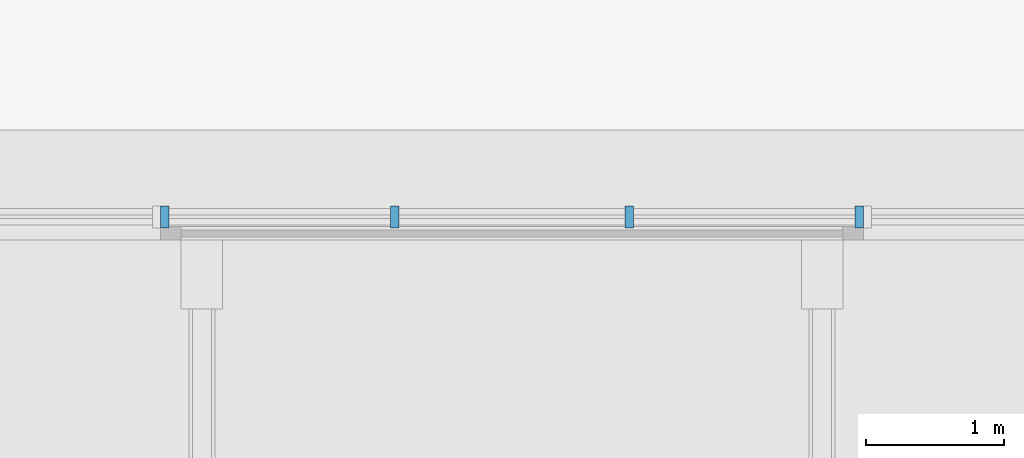
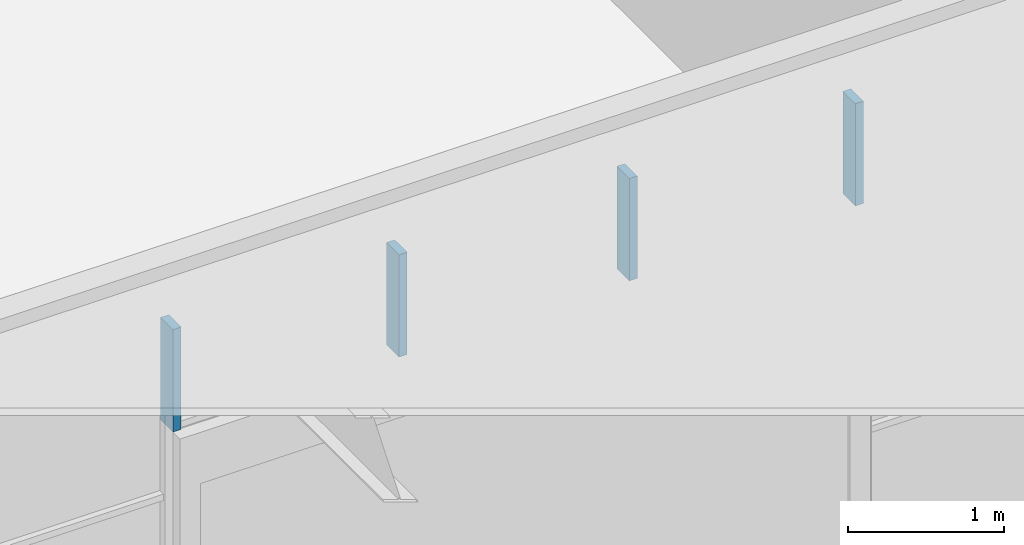
# One storey, part 68 of 168: 4 members, 1 element without a shape of its own.
"""IFC4 building model written with IfcOpenShell, lengths in metres."""

from ifc_helpers import new_model, si_unit, direction, frame, origin, origin_2d, place, context, subcontext, project, spatial, rectangle, extrude, material, material_profile, profile_set, type_object, element, aggregate, save


model = new_model("IFC4")

# Units and contexts
model_context = context("Model", 3, precision=1e-05, world=origin(), true_north=direction((0.0, 1.0)))
body_context = subcontext(model_context, "Body", "Model", "MODEL_VIEW")
ifc_project = project(units=[si_unit("LENGTHUNIT", "METRE"), si_unit("AREAUNIT", "SQUARE_METRE"), si_unit("VOLUMEUNIT", "CUBIC_METRE"), si_unit("PLANEANGLEUNIT", "RADIAN"), si_unit("MASSUNIT", "GRAM", prefix="KILO")], contexts=[model_context])

# Site, building, storey
site_placement = place(None, origin())
site = spatial("IfcSite", under=ifc_project, at=site_placement, CompositionType="ELEMENT")
building_placement = place(site_placement, origin())
building = spatial("IfcBuilding", under=site, at=building_placement, Name="Silverbay Arena", CompositionType="ELEMENT")
storey_placement = place(building_placement, frame((0.0, 0.0, 7.0)))
storey = spatial("IfcBuildingStorey", under=building, at=storey_placement, Name="L01", CompositionType="ELEMENT", Elevation=7.0)

# Curtain wall, members
ifc_material_1 = material(Name="Aluminium framed curtain wall", Category="aluminium")
curtain_wall_type = type_object("IfcCurtainWallType", Name="Curtain wall 5100 x 800", PredefinedType="NOTDEFINED", material=ifc_material_1)
curtain_wall_placement = place(storey_placement, origin())
curtain_wall = element("IfcCurtainWall", 1, at=curtain_wall_placement, inside=storey, type_object=curtain_wall_type, Name="South curtain wall L01 bay 6", PredefinedType="NOTDEFINED")
ifc_material_2 = material(Name="Aluminium", Category="aluminium")
ifc_material_profile = material_profile(ifc_material_2, rectangle(XDim=0.159912109375, YDim=0.06005859375, at=origin_2d()), Name="Mullion 60 x 160")
ifc_profile_set = profile_set([ifc_material_profile], Name="Aluminium")
member_type = type_object("IfcMemberType", Name="Mullion 60 x 160", PredefinedType="MULLION", material=ifc_profile_set)
member_1_placement = place(storey_placement, frame((73.97998046875, 17.669921875, 3.10009765625), z_axis=(0.0, 0.0, 1.0), x_axis=(0.0, 1.0, 0.0)))
member_1 = element("IfcMember", 2, at=member_1_placement, type_object=member_type, Name="CW3 mullion 1", PredefinedType="MULLION", context=body_context, shape_type="SweptSolid", body=[
    extrude(rectangle(XDim=0.159912109375, YDim=0.06005859375, at=origin_2d()), origin(), (0.0, 0.0, 1.0), 0.7998046875),
])
member_2_placement = place(storey_placement, frame((75.64990234375, 17.669921875, 3.10009765625), z_axis=(0.0, 0.0, 1.0), x_axis=(0.0, 1.0, 0.0)))
member_2 = element("IfcMember", 3, at=member_2_placement, type_object=member_type, Name="CW3 mullion 2", PredefinedType="MULLION", context=body_context, shape_type="SweptSolid", body=[
    extrude(rectangle(XDim=0.159912109375, YDim=0.06005859375, at=origin_2d()), origin(), (0.0, 0.0, 1.0), 0.7998046875),
])
member_3_placement = place(storey_placement, frame((77.35009765625, 17.669921875, 3.10009765625), z_axis=(0.0, 0.0, 1.0), x_axis=(0.0, 1.0, 0.0)))
member_3 = element("IfcMember", 4, at=member_3_placement, type_object=member_type, Name="CW3 mullion 3", PredefinedType="MULLION", context=body_context, shape_type="SweptSolid", body=[
    extrude(rectangle(XDim=0.159912109375, YDim=0.06005859375, at=origin_2d()), origin(), (0.0, 0.0, 1.0), 0.7998046875),
])
member_4_placement = place(storey_placement, frame((79.02001953125, 17.669921875, 3.10009765625), z_axis=(0.0, 0.0, 1.0), x_axis=(0.0, 1.0, 0.0)))
member_4 = element("IfcMember", 5, at=member_4_placement, type_object=member_type, Name="CW3 mullion 4", PredefinedType="MULLION", context=body_context, shape_type="SweptSolid", body=[
    extrude(rectangle(XDim=0.159912109375, YDim=0.06005859375, at=origin_2d()), origin(), (0.0, 0.0, 1.0), 0.7998046875),
])
aggregate(curtain_wall, [member_1, member_2, member_3, member_4])

save(model, "model.ifc")
